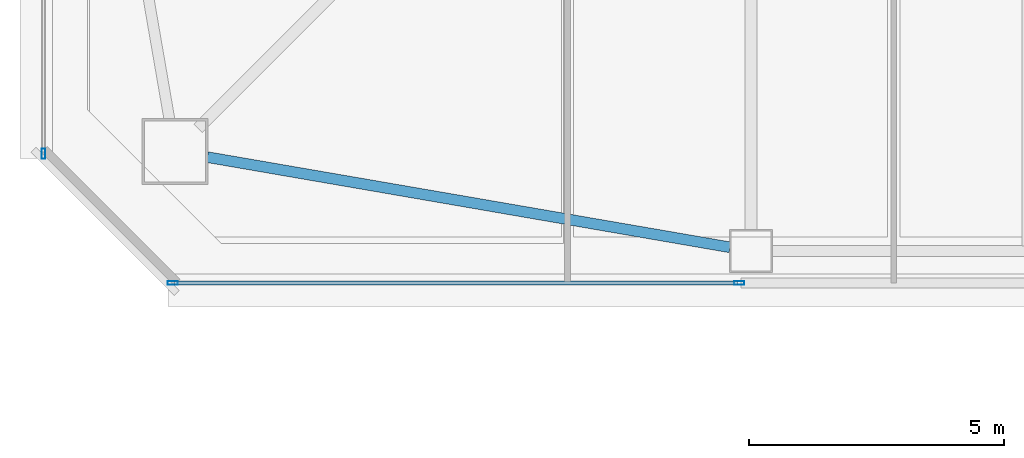
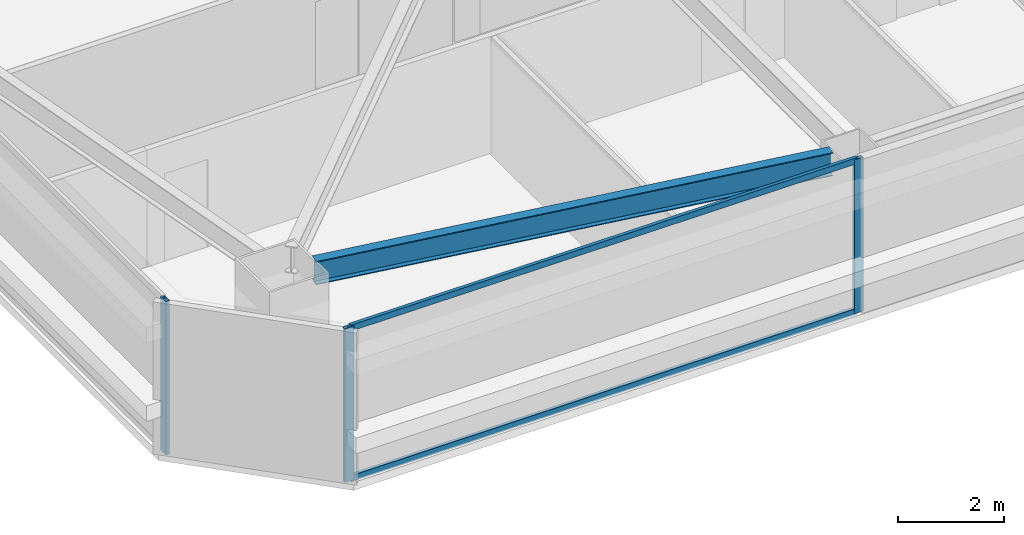
# One storey, part 3 of 41: 5 members, 1 beam, 2 elements without a shape of their own.
"""IFC4 building model written with IfcOpenShell, lengths in metres."""

from ifc_helpers import new_model, si_unit, direction, frame, origin, origin_2d, place, context, subcontext, project, spatial, hollow_rectangle, i_section, extrude, material, material_profile, profile_set, type_object, element, aggregate, save


model = new_model("IFC4")

# Units and contexts
model_context = context("Model", 3, precision=1e-05, world=origin(), true_north=direction((0.0, 1.0)))
body_context = subcontext(model_context, "Body", "Model", "MODEL_VIEW")
ifc_project = project(units=[si_unit("LENGTHUNIT", "METRE"), si_unit("AREAUNIT", "SQUARE_METRE"), si_unit("VOLUMEUNIT", "CUBIC_METRE"), si_unit("PLANEANGLEUNIT", "RADIAN"), si_unit("MASSUNIT", "GRAM", prefix="KILO")], contexts=[model_context])

# Site, building, storey
site_placement = place(None, origin())
site = spatial("IfcSite", under=ifc_project, at=site_placement, CompositionType="ELEMENT")
building_placement = place(site_placement, origin())
building = spatial("IfcBuilding", under=site, at=building_placement, Name="Tashvorn Skyway Center", CompositionType="ELEMENT")
storey_placement = place(building_placement, frame((0.0, 0.0, 117.949951171875)))
storey = spatial("IfcBuildingStorey", under=building, at=storey_placement, Name="L31", CompositionType="ELEMENT", Elevation=117.949951171875)

# Beam
ifc_material_1 = material(Name="Steel ASTM A992 Grade 50", Category="steel")
ifc_material_profile_1 = material_profile(ifc_material_1, i_section(OverallWidth=0.2109375, OverallDepth=0.5390625, WebThickness=0.01171875, FlangeThickness=0.018798828125, at=origin_2d()), Name="W21X73")
ifc_profile_set_1 = profile_set([ifc_material_profile_1], Name="Steel ASTM A992 Grade 50")
beam_type = type_object("IfcBeamType", Name="BM-SPANDREL-W21X73", PredefinedType="SPANDREL", material=ifc_profile_set_1)
beam_placement = place(storey_placement, frame((25.935546875, 15.1904296875, 3.1005859375), z_axis=(0.985432458462, -0.170067250846, 0.0), x_axis=(0.170067250846, 0.985432458462, 0.0)))
element("IfcBeam", 1, at=beam_placement, inside=storey, type_object=beam_type, Name="Tower 1 L31 Spandrel Beam 01", PredefinedType="SPANDREL", context=body_context, shape_type="SweptSolid", body=[
    extrude(i_section(OverallWidth=0.2109375, OverallDepth=0.5390625, WebThickness=0.01171875, FlangeThickness=0.018798828125, at=origin_2d()), origin(), (0.0, 0.0, 1.0), 10.402099609375),
])

# Curtain wall, members
ifc_material_2 = material(Name="Thermally broken bronze-anodized aluminium 6063-T6", Category="aluminium")
curtain_wall_type = type_object("IfcCurtainWallType", Name="CW-CW-Z3", PredefinedType="NOTDEFINED", material=ifc_material_2)
curtain_wall_1_placement = place(storey_placement, origin())
curtain_wall_1 = element("IfcCurtainWall", 2, at=curtain_wall_1_placement, inside=storey, type_object=curtain_wall_type, Name="Tower 1 L31 South Unitised Curtain Wall Glazing Group 2", PredefinedType="NOTDEFINED")
ifc_material_profile_2 = material_profile(ifc_material_2, hollow_rectangle(XDim=0.074951171875, YDim=0.199951171875, WallThickness=0.00439453125, at=origin_2d()), Name="ALU-MULL-75x200")
ifc_profile_set_2 = profile_set([ifc_material_profile_2], Name="Thermally broken bronze-anodized aluminium 6063-T6")
member_type_1 = type_object("IfcMemberType", Name="CWM-CW-Z3", PredefinedType="MULLION", material=ifc_profile_set_2)
member_1_placement = place(storey_placement, frame((36.369140625, 12.719970703125, 0.0), z_axis=(0.0, 0.0, 1.0), x_axis=(0.0, -1.0, 0.0)))
member_1 = element("IfcMember", 3, at=member_1_placement, type_object=member_type_1, Name="CW-Z3 mullion 1", PredefinedType="MULLION", context=body_context, shape_type="SweptSolid", body=[
    extrude(hollow_rectangle(XDim=0.074951171875, YDim=0.199951171875, WallThickness=0.00439453125, at=origin_2d()), origin(), (0.0, 0.0, 1.0), 3.550048828125),
])
member_2_placement = place(storey_placement, frame((25.257568359375, 12.719970703125, 0.0), z_axis=(0.0, 0.0, 1.0), x_axis=(0.0, -1.0, 0.0)))
member_2 = element("IfcMember", 4, at=member_2_placement, type_object=member_type_1, Name="CW-Z3 mullion 2", PredefinedType="MULLION", context=body_context, shape_type="SweptSolid", body=[
    extrude(hollow_rectangle(XDim=0.074951171875, YDim=0.199951171875, WallThickness=0.00439453125, at=origin_2d()), origin(), (0.0, 0.0, 1.0), 3.550048828125),
])

# Curtain wall, member
curtain_wall_2_placement = place(storey_placement, origin())
curtain_wall_2 = element("IfcCurtainWall", 5, at=curtain_wall_2_placement, inside=storey, type_object=curtain_wall_type, Name="Tower 1 L31 West Unitised Curtain Wall Glazing Group 1", PredefinedType="NOTDEFINED")
member_3_placement = place(storey_placement, frame((22.719970703125, 15.257568359375, 0.0), z_axis=(0.0, 0.0, 1.0), x_axis=(-1.0, 0.0, 0.0)))
member_3 = element("IfcMember", 6, at=member_3_placement, type_object=member_type_1, Name="CW-Z3 mullion 1", PredefinedType="MULLION", context=body_context, shape_type="SweptSolid", body=[
    extrude(hollow_rectangle(XDim=0.074951171875, YDim=0.199951171875, WallThickness=0.00439453125, at=origin_2d()), origin(), (0.0, 0.0, 1.0), 3.550048828125),
])
aggregate(curtain_wall_2, [member_3])

# Member
ifc_material_profile_3 = material_profile(ifc_material_2, hollow_rectangle(XDim=0.074951171875, YDim=0.139892578125, WallThickness=0.004150390625, at=origin_2d()), Name="ALU-TRAN-75x140")
ifc_profile_set_3 = profile_set([ifc_material_profile_3], Name="Thermally broken bronze-anodized aluminium 6063-T6")
member_type_2 = type_object("IfcMemberType", Name="CWT-CW-Z3", PredefinedType="USERDEFINED", material=ifc_profile_set_3)
member_4_placement = place(storey_placement, frame((36.331787109375, 12.719970703125, 0.03759765625), z_axis=(-1.0, 0.0, 0.0), x_axis=(0.0, -1.0, 0.0)))
member_4 = element("IfcMember", 7, at=member_4_placement, type_object=member_type_2, Name="CW-Z3 transom 1.1", ObjectType="TRANSOM", PredefinedType="USERDEFINED", context=body_context, shape_type="SweptSolid", body=[
    extrude(hollow_rectangle(XDim=0.074951171875, YDim=0.139892578125, WallThickness=0.004150390625, at=origin_2d()), origin(), (0.0, 0.0, 1.0), 11.036865234375),
])

member_5_placement = place(storey_placement, frame((36.331787109375, 12.719970703125, 3.512451171875), z_axis=(-1.0, 0.0, 0.0), x_axis=(0.0, -1.0, 0.0)))
member_5 = element("IfcMember", 8, at=member_5_placement, type_object=member_type_2, Name="CW-Z3 transom 1.2", ObjectType="TRANSOM", PredefinedType="USERDEFINED", context=body_context, shape_type="SweptSolid", body=[
    extrude(hollow_rectangle(XDim=0.074951171875, YDim=0.139892578125, WallThickness=0.004150390625, at=origin_2d()), origin(), (0.0, 0.0, 1.0), 11.036865234375),
])

aggregate(curtain_wall_1, [member_1, member_2, member_4, member_5])

save(model, "model.ifc")
